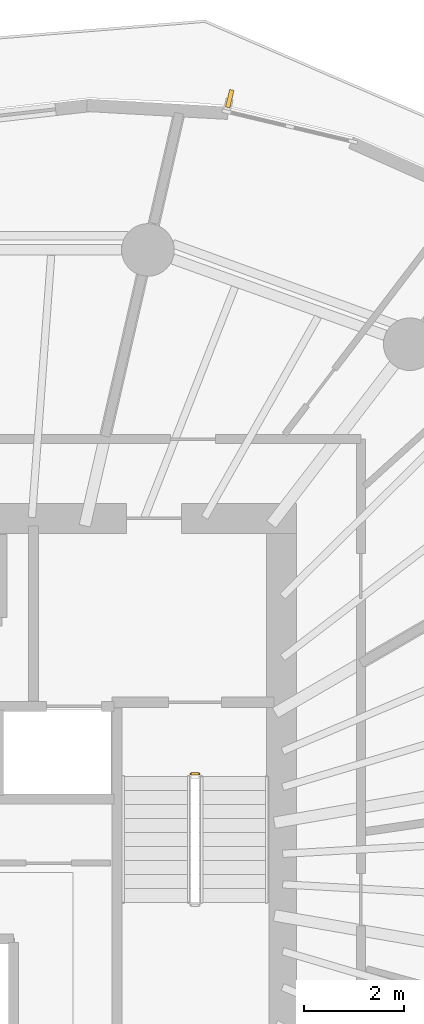
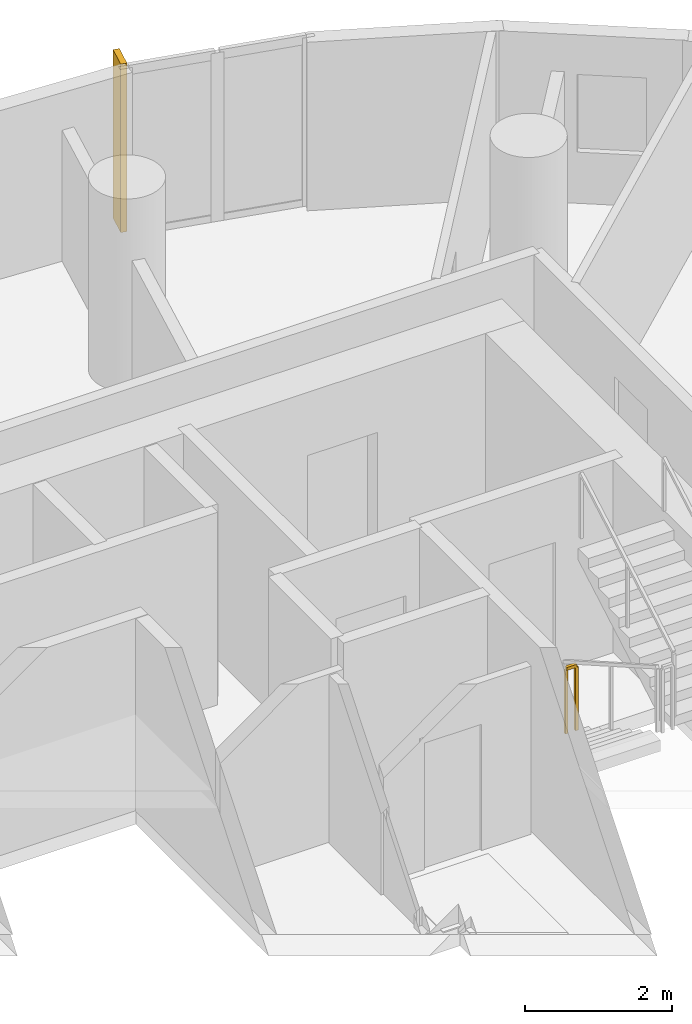
# One storey, part 13 of 13: 1 railing, 1 shading device.
"""IFC4 building model written with IfcOpenShell, lengths in metres."""

from ifc_helpers import new_model, si_unit, direction, frame, origin, origin_2d, place, context, subcontext, project, spatial, rectangle, extrude, material, layer, layer_set, type_object, element, save


model = new_model("IFC4")

# Units and contexts
model_context = context("Model", 3, precision=1e-05, world=origin(), true_north=direction((0.0, 1.0)))
body_context = subcontext(model_context, "Body", "Model", "MODEL_VIEW")
ifc_project = project(units=[si_unit("LENGTHUNIT", "METRE"), si_unit("AREAUNIT", "SQUARE_METRE"), si_unit("VOLUMEUNIT", "CUBIC_METRE"), si_unit("PLANEANGLEUNIT", "RADIAN"), si_unit("MASSUNIT", "GRAM", prefix="KILO")], contexts=[model_context])

# Site, building, storey
site_placement = place(None, origin())
site = spatial("IfcSite", under=ifc_project, at=site_placement, CompositionType="ELEMENT")
building_placement = place(site_placement, origin())
building = spatial("IfcBuilding", under=site, at=building_placement, Name="Veldorim Arch Residences", CompositionType="ELEMENT")
storey_placement = place(building_placement, frame((0.0, 0.0, 155.360107421875)))
storey = spatial("IfcBuildingStorey", under=building, at=storey_placement, Name="L46", CompositionType="ELEMENT", Elevation=155.360107421875)

# Railing
ifc_material_1 = material(Name="Steel S355", Category="steel")
railing_type = type_object("IfcRailingType", Name="Galvanised Steel Stair Safety Guardrail 1100", PredefinedType="GUARDRAIL", material=ifc_material_1)
railing_placement = place(storey_placement, frame((35.68994140625, 25.89990234375, 0.0)))
element("IfcRailing", 1, at=railing_placement, inside=storey, type_object=railing_type, Name="L46 ST-2 stair guard 4", PredefinedType="GUARDRAIL", context=body_context, shape_type="SweptSolid", body=[
    extrude(rectangle(XDim=0.048095703125, YDim=0.048095703125, at=origin_2d()), frame((0.0, 0.0, 1.076171875), z_axis=(1.0, 0.0, 0.0), x_axis=(0.0, 1.0, 0.0)), (0.0, 0.0, 1.0), 0.16015625),
    extrude(rectangle(XDim=0.0419921875, YDim=0.0419921875, at=origin_2d()), origin(), (0.0, 0.0, 1.0), 1.052001953125),
    extrude(rectangle(XDim=0.0419921875, YDim=0.0419921875, at=origin_2d()), frame((0.16015625, 0.0, 0.0)), (0.0, 0.0, 1.0), 1.052001953125),
])

# Shading device
ifc_material_2 = material(Name="Terracotta Ceramic", Category="masonry")
ifc_layer = layer(ifc_material_2, 0.090087890625, Name="Vertical Extruded Terracotta Baguette Sun-Shading Fin")
ifc_layer_set = layer_set([ifc_layer], Name="Terracotta Ceramic")
shading_device_type = type_object("IfcShadingDeviceType", Name="Vertical Extruded Terracotta Baguette Sun-Shading Fin", PredefinedType="USERDEFINED", material=ifc_layer_set)
shading_device_placement = place(storey_placement, frame((36.46240234375, 39.377685546875, 0.0), z_axis=(0.0, 0.0, 1.0), x_axis=(0.972977745976, -0.230898908261, 0.0)))
element("IfcShadingDevice", 2, at=shading_device_placement, inside=storey, type_object=shading_device_type, Name="L46 vertical terracotta sun-shading fin 04", ObjectType="FIN", PredefinedType="USERDEFINED", context=body_context, shape_type="SweptSolid", body=[
    extrude(rectangle(XDim=0.090087890625, YDim=0.360107421875, at=origin_2d()), origin(), (0.0, 0.0, 1.0), 2.800048828125),
])

save(model, "model.ifc")
